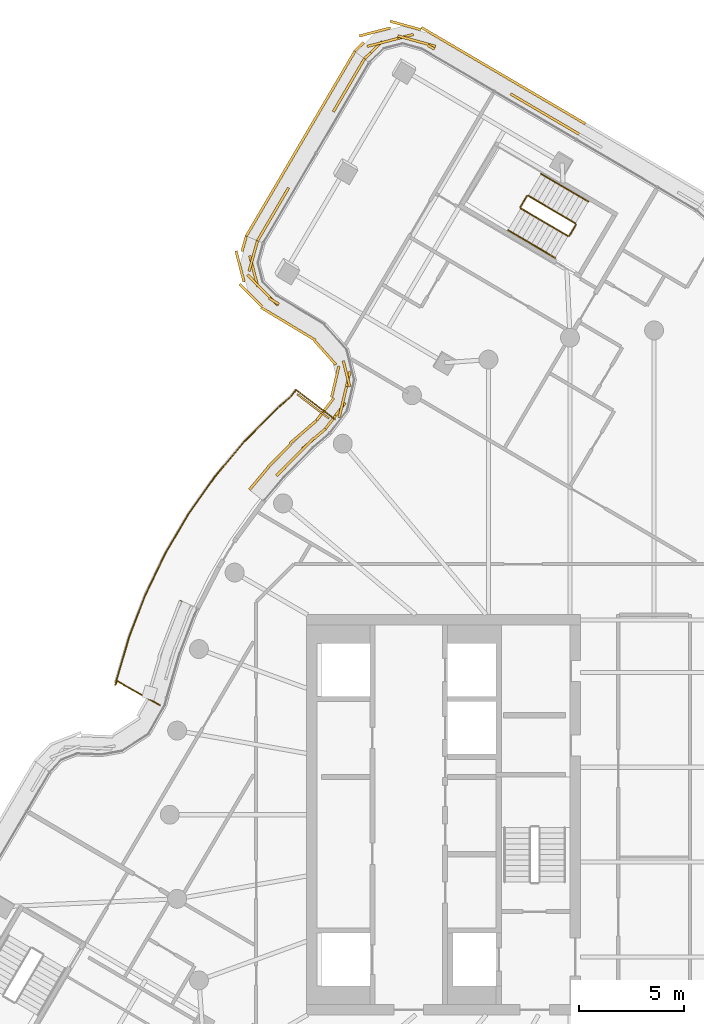
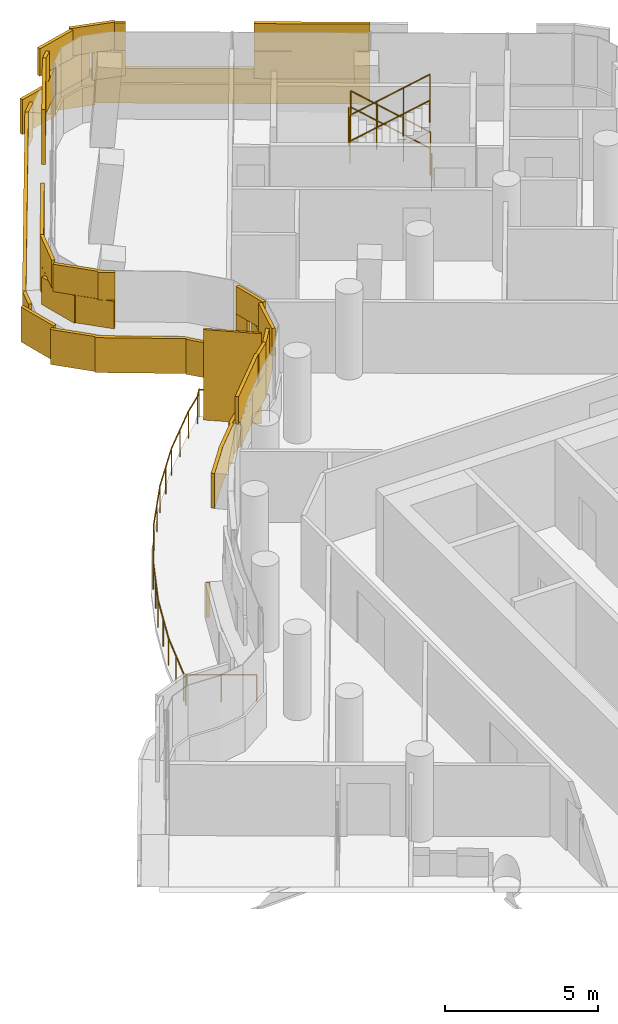
# One storey, part 24 of 26: 7 railings, 4 coverings, 1 shading device.
"""IFC4 building model written with IfcOpenShell, lengths in metres."""

from ifc_helpers import new_model, si_unit, direction, frame, origin, origin_2d, place, context, subcontext, project, spatial, rectangle, circle, extrude, material, layer, layer_set, type_object, element, save


model = new_model("IFC4")

# Units and contexts
model_context = context("Model", 3, precision=1e-05, world=origin(), true_north=direction((0.0, 1.0)))
body_context = subcontext(model_context, "Body", "Model", "MODEL_VIEW")
ifc_project = project(units=[si_unit("LENGTHUNIT", "METRE"), si_unit("AREAUNIT", "SQUARE_METRE"), si_unit("VOLUMEUNIT", "CUBIC_METRE"), si_unit("PLANEANGLEUNIT", "RADIAN"), si_unit("MASSUNIT", "GRAM", prefix="KILO")], contexts=[model_context])

# Site, building, storey
site_placement = place(None, origin())
site = spatial("IfcSite", under=ifc_project, at=site_placement, CompositionType="ELEMENT")
building_placement = place(site_placement, origin())
building = spatial("IfcBuilding", under=site, at=building_placement, Name="Tamarind Cross Interchange Tower", CompositionType="ELEMENT")
storey_placement = place(building_placement, frame((0.0, 0.0, 248.699951171875)))
storey = spatial("IfcBuildingStorey", under=building, at=storey_placement, Name="L63", CompositionType="ELEMENT", Elevation=248.699951171875)

# Railing
ifc_material_1 = material(Name="Stainless steel and laminated glass", Category="steel")
railing_type_1 = type_object("IfcRailingType", Name="Balcony guard", PredefinedType="BALUSTRADE", material=ifc_material_1)
railing_1_placement = place(storey_placement, frame((-15.15185546875, 18.774658203125, 0.0)))
element("IfcRailing", 1, at=railing_1_placement, inside=storey, type_object=railing_type_1, Name="Balcony guard 04", PredefinedType="BALUSTRADE", context=body_context, shape_type="SweptSolid", body=[
    extrude(circle(Radius=0.02490234375, at=origin_2d()), frame((0.0, 0.0, 1.0751953125), z_axis=(-0.795265004093, 0.606261967524, 0.0), x_axis=(-0.606261967524, -0.795265004093, 0.0)), (0.0, 0.0, 1.0), 2.31982421875),
    extrude(circle(Radius=0.02490234375, at=origin_2d()), frame((-1.844970703125, 1.406494140625, 1.0751953125), z_axis=(-0.606314214453, -0.795225171478, 0.0), x_axis=(0.795225171478, -0.606314214453, 0.0)), (0.0, 0.0, 1.0), 0.406982421875),
    extrude(circle(Radius=0.02490234375, at=origin_2d()), frame((-2.091796875, 1.082763671875, 1.0751953125), z_axis=(-0.757669827878, -0.652638055835, 0.0), x_axis=(0.652638055835, -0.757669827878, 0.0)), (0.0, 0.0, 1.0), 0.880859375),
    extrude(circle(Radius=0.02490234375, at=origin_2d()), frame((-2.75927734375, 0.5078125, 1.0751953125), z_axis=(-0.704063079515, -0.710137437447, 0.0), x_axis=(0.710137437447, -0.704063079515, 0.0)), (0.0, 0.0, 1.0), 2.17041015625),
    extrude(circle(Radius=0.02490234375, at=origin_2d()), frame((-4.287353515625, -1.033447265625, 1.0751953125), z_axis=(-0.642984125922, -0.765879503455, 0.0), x_axis=(0.765879503455, -0.642984125922, 0.0)), (0.0, 0.0, 1.0), 2.17529296875),
    extrude(circle(Radius=0.02490234375, at=origin_2d()), frame((-5.68603515625, -2.699462890625, 1.0751953125), z_axis=(-0.577590617379, -0.81632657602, 0.0), x_axis=(0.81632657602, -0.577590617379, 0.0)), (0.0, 0.0, 1.0), 2.175048828125),
    extrude(circle(Radius=0.02490234375, at=origin_2d()), frame((-6.9423828125, -4.47509765625, 1.0751953125), z_axis=(-0.508226290333, -0.861223570169, 0.0), x_axis=(0.861223570169, -0.508226290333, 0.0)), (0.0, 0.0, 1.0), 2.175048828125),
    extrude(circle(Radius=0.02490234375, at=origin_2d()), frame((-8.0478515625, -6.348388671875, 1.0751953125), z_axis=(-0.435276325285, -0.90029690694, 0.0), x_axis=(0.90029690694, -0.435276325285, 0.0)), (0.0, 0.0, 1.0), 2.175048828125),
    extrude(circle(Radius=0.02490234375, at=origin_2d()), frame((-8.99462890625, -8.306640625, 1.0751953125), z_axis=(-0.359497979449, -0.93314586361, 0.0), x_axis=(0.93314586361, -0.359497979449, 0.0)), (0.0, 0.0, 1.0), 2.17529296875),
    extrude(circle(Radius=0.02490234375, at=origin_2d()), frame((-9.776611328125, -10.33642578125, 1.0751953125), z_axis=(-0.281200558309, -0.959649022303, 0.0), x_axis=(0.959649022303, -0.281200558309, 0.0)), (0.0, 0.0, 1.0), 2.10791015625),
    extrude(circle(Radius=0.02490234375, at=origin_2d()), frame((-10.369384765625, -12.359375, 1.0751953125), z_axis=(-0.257177560454, -0.966364166554, 0.0), x_axis=(0.966364166554, -0.257177560454, 0.0)), (0.0, 0.0, 1.0), 0.250732421875),
    extrude(circle(Radius=0.02490234375, at=origin_2d()), frame((-10.433837890625, -12.6015625, 1.0751953125), z_axis=(0.493044065674, 0.87000433867, 0.0), x_axis=(-0.87000433867, 0.493044065674, 0.0)), (0.0, 0.0, 1.0), 0.195556640625),
    extrude(circle(Radius=0.02490234375, at=origin_2d()), frame((-10.33740234375, -12.431396484375, 1.0751953125), z_axis=(0.869844589794, -0.493325845264, 0.0), x_axis=(0.493325845264, 0.869844589794, 0.0)), (0.0, 0.0, 1.0), 2.320068359375),
    extrude(circle(Radius=0.02001953125, at=origin_2d()), origin(), (0.0, 0.0, 1.0), 1.050048828125),
    extrude(circle(Radius=0.02001953125, at=origin_2d()), frame((-0.92236328125, 0.703125, 0.0)), (0.0, 0.0, 1.0), 1.050048828125),
    extrude(circle(Radius=0.02001953125, at=origin_2d()), frame((-1.844970703125, 1.406494140625, 0.0)), (0.0, 0.0, 1.0), 1.050048828125),
    extrude(circle(Radius=0.02001953125, at=origin_2d()), frame((-2.091796875, 1.082763671875, 0.0)), (0.0, 0.0, 1.0), 1.050048828125),
    extrude(circle(Radius=0.02001953125, at=origin_2d()), frame((-2.75927734375, 0.5078125, 0.0)), (0.0, 0.0, 1.0), 1.050048828125),
    extrude(circle(Radius=0.02001953125, at=origin_2d()), frame((-3.5234375, -0.2626953125, 0.0)), (0.0, 0.0, 1.0), 1.050048828125),
    extrude(circle(Radius=0.02001953125, at=origin_2d()), frame((-4.287353515625, -1.033447265625, 0.0)), (0.0, 0.0, 1.0), 1.050048828125),
    extrude(circle(Radius=0.02001953125, at=origin_2d()), frame((-4.98681640625, -1.866455078125, 0.0)), (0.0, 0.0, 1.0), 1.050048828125),
    extrude(circle(Radius=0.02001953125, at=origin_2d()), frame((-5.68603515625, -2.699462890625, 0.0)), (0.0, 0.0, 1.0), 1.050048828125),
    extrude(circle(Radius=0.02001953125, at=origin_2d()), frame((-6.314208984375, -3.58740234375, 0.0)), (0.0, 0.0, 1.0), 1.050048828125),
    extrude(circle(Radius=0.02001953125, at=origin_2d()), frame((-6.9423828125, -4.47509765625, 0.0)), (0.0, 0.0, 1.0), 1.050048828125),
    extrude(circle(Radius=0.02001953125, at=origin_2d()), frame((-7.4951171875, -5.41162109375, 0.0)), (0.0, 0.0, 1.0), 1.050048828125),
    extrude(circle(Radius=0.02001953125, at=origin_2d()), frame((-8.0478515625, -6.348388671875, 0.0)), (0.0, 0.0, 1.0), 1.050048828125),
    extrude(circle(Radius=0.02001953125, at=origin_2d()), frame((-8.521240234375, -7.32763671875, 0.0)), (0.0, 0.0, 1.0), 1.050048828125),
    extrude(circle(Radius=0.02001953125, at=origin_2d()), frame((-8.99462890625, -8.306640625, 0.0)), (0.0, 0.0, 1.0), 1.050048828125),
    extrude(circle(Radius=0.02001953125, at=origin_2d()), frame((-9.3857421875, -9.321533203125, 0.0)), (0.0, 0.0, 1.0), 1.050048828125),
    extrude(circle(Radius=0.02001953125, at=origin_2d()), frame((-9.776611328125, -10.33642578125, 0.0)), (0.0, 0.0, 1.0), 1.050048828125),
    extrude(circle(Radius=0.02001953125, at=origin_2d()), frame((-10.072998046875, -11.347900390625, 0.0)), (0.0, 0.0, 1.0), 1.050048828125),
    extrude(circle(Radius=0.02001953125, at=origin_2d()), frame((-10.369384765625, -12.359375, 0.0)), (0.0, 0.0, 1.0), 1.050048828125),
    extrude(circle(Radius=0.02001953125, at=origin_2d()), frame((-10.433837890625, -12.6015625, 0.0)), (0.0, 0.0, 1.0), 1.050048828125),
    extrude(circle(Radius=0.02001953125, at=origin_2d()), frame((-10.33740234375, -12.431396484375, 0.0)), (0.0, 0.0, 1.0), 1.050048828125),
    extrude(circle(Radius=0.02001953125, at=origin_2d()), frame((-9.328369140625, -13.003662109375, 0.0)), (0.0, 0.0, 1.0), 1.050048828125),
    extrude(circle(Radius=0.02001953125, at=origin_2d()), frame((-8.3193359375, -13.575927734375, 0.0)), (0.0, 0.0, 1.0), 1.050048828125),
])

# Shading device
ifc_material_2 = material(Name="Bronze-finish aluminium louvre", Category="aluminium")
ifc_layer_1 = layer(ifc_material_2, 0.080078125)
ifc_layer_set_1 = layer_set([ifc_layer_1], Name="Bronze-finish aluminium louvre")
shading_device_type = type_object("IfcShadingDeviceType", Name="Operable louvre bay", PredefinedType="JALOUSIE", material=ifc_layer_set_1)
shading_device_placement = place(storey_placement, origin())
element("IfcShadingDevice", 2, at=shading_device_placement, inside=storey, type_object=shading_device_type, Name="LVR-L63-BAL04", PredefinedType="JALOUSIE", context=body_context, shape_type="SweptSolid", body=[
    extrude(rectangle(XDim=1.89990234375, YDim=0.080078125, at=origin_2d()), frame((-16.19091796875, 19.390869140625, 0.0), z_axis=(0.0, 0.0, 1.0), x_axis=(-0.7952192151, 0.606322026596, 0.0)), (0.0, 0.0, 1.0), 3.60009765625),
])

# Railings
ifc_material_3 = material(Name="Stair guard")
railing_type_2 = type_object("IfcRailingType", Name="Stair guard", PredefinedType="GUARDRAIL", material=ifc_material_3)
railing_2_placement = place(storey_placement, frame((-3.733642578125, 28.08056640625, 0.16357421875)))
element("IfcRailing", 3, at=railing_2_placement, inside=storey, type_object=railing_type_2, Name="L63 ST4 stair guard 1", PredefinedType="GUARDRAIL", context=body_context, shape_type="SweptSolid", body=[
    extrude(circle(Radius=0.02392578125, at=origin_2d()), frame((0.0, 0.0, 1.076171875), z_axis=(-0.729621635037, 0.428824566241, 0.532692933194), x_axis=(-0.506700001026, -0.862122444297, 0.0)), (0.0, 0.0, 1.0), 3.072021484375),
    extrude(circle(Radius=0.02099609375, at=origin_2d()), origin(), (0.0, 0.0, 1.0), 1.052001953125),
    extrude(circle(Radius=0.02099609375, at=origin_2d()), frame((-0.7470703125, 0.439208984375, 0.54541015625)), (0.0, 0.0, 1.0), 1.052001953125),
    extrude(circle(Radius=0.02099609375, at=origin_2d()), frame((-1.494384765625, 0.878173828125, 1.091064453125)), (0.0, 0.0, 1.0), 1.052001953125),
    extrude(circle(Radius=0.02099609375, at=origin_2d()), frame((-2.241455078125, 1.3173828125, 1.636474609375)), (0.0, 0.0, 1.0), 1.052001953125),
])
railing_3_placement = place(storey_placement, frame((-6.043701171875, 29.380126953125, 1.800048828125)))
element("IfcRailing", 4, at=railing_3_placement, inside=storey, type_object=railing_type_2, Name="L63 ST4 stair guard 2", PredefinedType="GUARDRAIL", context=body_context, shape_type="SweptSolid", body=[
    extrude(circle(Radius=0.02392578125, at=origin_2d()), frame((0.0, 0.0, 1.076171875), z_axis=(-0.506753282628, -0.862091126591, 0.0), x_axis=(0.862091126591, -0.506753282628, 0.0)), (0.0, 0.0, 1.0), 0.599853515625),
    extrude(circle(Radius=0.02099609375, at=origin_2d()), origin(), (0.0, 0.0, 1.0), 1.052001953125),
    extrude(circle(Radius=0.02099609375, at=origin_2d()), frame((-0.303955078125, -0.51708984375, 0.0)), (0.0, 0.0, 1.0), 1.052001953125),
])
railing_4_placement = place(storey_placement, frame((-6.329833984375, 28.79443359375, 1.963623046875)))
element("IfcRailing", 5, at=railing_4_placement, inside=storey, type_object=railing_type_2, Name="L63 ST4 stair guard 3", PredefinedType="GUARDRAIL", context=body_context, shape_type="SweptSolid", body=[
    extrude(circle(Radius=0.02392578125, at=origin_2d()), frame((0.0, 0.0, 1.076171875), z_axis=(0.729621635037, -0.428824566241, 0.532692933194), x_axis=(0.506700001026, 0.862122444297, 0.0)), (0.0, 0.0, 1.0), 3.072021484375),
    extrude(circle(Radius=0.02099609375, at=origin_2d()), origin(), (0.0, 0.0, 1.0), 1.052001953125),
    extrude(circle(Radius=0.02099609375, at=origin_2d()), frame((0.7470703125, -0.439208984375, 0.54541015625)), (0.0, 0.0, 1.0), 1.052001953125),
    extrude(circle(Radius=0.02099609375, at=origin_2d()), frame((1.494384765625, -0.878173828125, 1.091064453125)), (0.0, 0.0, 1.0), 1.052001953125),
    extrude(circle(Radius=0.02099609375, at=origin_2d()), frame((2.241455078125, -1.3173828125, 1.636474609375)), (0.0, 0.0, 1.0), 1.052001953125),
])
railing_5_placement = place(storey_placement, frame((-3.7158203125, 28.011962890625, 0.0)))
element("IfcRailing", 6, at=railing_5_placement, inside=storey, type_object=railing_type_2, Name="L63 ST4 stair guard 4", PredefinedType="GUARDRAIL", context=body_context, shape_type="SweptSolid", body=[
    extrude(circle(Radius=0.02392578125, at=origin_2d()), frame((0.0, 0.0, 1.076171875), z_axis=(-0.507055694745, -0.86191329171, 0.0), x_axis=(0.86191329171, -0.507055694745, 0.0)), (0.0, 0.0, 1.0), 0.599853515625),
    extrude(circle(Radius=0.02099609375, at=origin_2d()), origin(), (0.0, 0.0, 1.0), 1.052001953125),
    extrude(circle(Radius=0.02099609375, at=origin_2d()), frame((-0.30419921875, -0.51708984375, 0.0)), (0.0, 0.0, 1.0), 1.052001953125),
])
ifc_material_4 = material(Name="Stair handrail")
railing_type_3 = type_object("IfcRailingType", Name="Stair handrail", PredefinedType="HANDRAIL", material=ifc_material_4)
railing_6_placement = place(storey_placement, frame((-3.125732421875, 29.114990234375, 0.16357421875)))
element("IfcRailing", 7, at=railing_6_placement, inside=storey, type_object=railing_type_3, Name="L63 ST4 stair handrail 1", PredefinedType="HANDRAIL", context=body_context, shape_type="SweptSolid", body=[
    extrude(circle(Radius=0.02392578125, at=origin_2d()), frame((0.0, 0.0, 0.8759765625), z_axis=(-0.729621635037, 0.428824566241, 0.532692933194), x_axis=(-0.506700001026, -0.862122444297, 0.0)), (0.0, 0.0, 1.0), 3.072021484375),
    extrude(circle(Radius=0.02099609375, at=origin_2d()), origin(), (0.0, 0.0, 1.0), 0.851806640625),
    extrude(circle(Radius=0.02099609375, at=origin_2d()), frame((-0.7470703125, 0.439208984375, 0.54541015625)), (0.0, 0.0, 1.0), 0.851806640625),
    extrude(circle(Radius=0.02099609375, at=origin_2d()), frame((-1.494384765625, 0.878173828125, 1.091064453125)), (0.0, 0.0, 1.0), 0.851806640625),
    extrude(circle(Radius=0.02099609375, at=origin_2d()), frame((-2.241455078125, 1.3173828125, 1.636474609375)), (0.0, 0.0, 1.0), 0.851806640625),
])
railing_7_placement = place(storey_placement, frame((-6.93798828125, 27.760009765625, 1.963623046875)))
element("IfcRailing", 8, at=railing_7_placement, inside=storey, type_object=railing_type_3, Name="L63 ST4 stair handrail 2", PredefinedType="HANDRAIL", context=body_context, shape_type="SweptSolid", body=[
    extrude(circle(Radius=0.02392578125, at=origin_2d()), frame((0.0, 0.0, 0.8759765625), z_axis=(0.729596769198, -0.428889419819, 0.532674778775), x_axis=(0.506769789849, 0.862081423125, 0.0)), (0.0, 0.0, 1.0), 3.072265625),
    extrude(circle(Radius=0.02099609375, at=origin_2d()), origin(), (0.0, 0.0, 1.0), 0.851806640625),
    extrude(circle(Radius=0.02099609375, at=origin_2d()), frame((0.7470703125, -0.439208984375, 0.54541015625)), (0.0, 0.0, 1.0), 0.851806640625),
    extrude(circle(Radius=0.02099609375, at=origin_2d()), frame((1.494384765625, -0.87841796875, 1.091064453125)), (0.0, 0.0, 1.0), 0.851806640625),
    extrude(circle(Radius=0.02099609375, at=origin_2d()), frame((2.241455078125, -1.317626953125, 1.636474609375)), (0.0, 0.0, 1.0), 0.851806640625),
])

# Coverings
ifc_material_5 = material(Name="Terracotta", Category="masonry")
ifc_layer_2 = layer(ifc_material_5, 0.1201171875)
ifc_layer_set_2 = layer_set([ifc_layer_2], Name="Terracotta")
covering_type = type_object("IfcCoveringType", Name="Terracotta baguette screen unit", PredefinedType="MOLDING", material=ifc_layer_set_2)
covering_1_placement = place(storey_placement, origin())
element("IfcCovering", 9, at=covering_1_placement, inside=storey, type_object=covering_type, Name="SCR-L63-02-01", PredefinedType="MOLDING", context=body_context, shape_type="SweptSolid", body=[
    extrude(rectangle(XDim=0.08349609375, YDim=0.1201171875, at=origin_2d()), frame((-3.593994140625, 32.336669921875, 1.40380859375), z_axis=(0.0, 0.0, 1.0), x_axis=(-0.862103583695, 0.506732089945, 0.0)), (0.0, 0.0, 1.0), 1.092041015625),
    extrude(rectangle(XDim=1.52001953125, YDim=0.1201171875, at=origin_2d()), frame((-4.272216796875, 32.735107421875, 1.40380859375), z_axis=(0.0, 0.0, 1.0), x_axis=(-0.862103583695, 0.506732089945, 0.0)), (0.0, 0.0, 1.0), 1.092041015625),
    extrude(rectangle(XDim=1.52001953125, YDim=0.1201171875, at=origin_2d()), frame((-5.5654296875, 33.495361328125, 1.40380859375), z_axis=(0.0, 0.0, 1.0), x_axis=(-0.862103583695, 0.506732089945, 0.0)), (0.0, 0.0, 1.0), 1.092041015625),
    extrude(rectangle(XDim=0.71044921875, YDim=0.1201171875, at=origin_2d()), frame((-6.513916015625, 34.052734375, 1.40380859375), z_axis=(0.0, 0.0, 1.0), x_axis=(-0.862103583695, 0.506732089945, 0.0)), (0.0, 0.0, 1.0), 1.092041015625),
    extrude(rectangle(XDim=1.109619140625, YDim=0.1201171875, at=origin_2d()), frame((-10.910888671875, 36.63671875, 1.40380859375), z_axis=(0.0, 0.0, 1.0), x_axis=(-0.96388003207, 0.266336786376, 0.0)), (0.0, 0.0, 1.0), 1.092041015625),
    extrude(rectangle(XDim=1.52001953125, YDim=0.1201171875, at=origin_2d()), frame((-12.16455078125, 36.863525390625, 1.40380859375), z_axis=(0.0, 0.0, 1.0), x_axis=(-0.967912987161, -0.251285593071, 0.0)), (0.0, 0.0, 1.0), 1.092041015625),
    extrude(rectangle(XDim=1.184326171875, YDim=0.1201171875, at=origin_2d()), frame((-13.335205078125, 36.3095703125, 1.40380859375), z_axis=(0.0, 0.0, 1.0), x_axis=(-0.712594438999, -0.701576200785, 0.0)), (0.0, 0.0, 1.0), 1.092041015625),
    extrude(rectangle(XDim=0.83349609375, YDim=0.1201171875, at=origin_2d()), frame((-3.917236328125, 32.526611328125, 2.50390625), z_axis=(0.0, 0.0, 1.0), x_axis=(-0.862103583695, 0.506732089945, 0.0)), (0.0, 0.0, 1.0), 1.092041015625),
    extrude(rectangle(XDim=1.52001953125, YDim=0.1201171875, at=origin_2d()), frame((-4.918701171875, 33.115234375, 2.50390625), z_axis=(0.0, 0.0, 1.0), x_axis=(-0.862103583695, 0.506732089945, 0.0)), (0.0, 0.0, 1.0), 1.092041015625),
    extrude(rectangle(XDim=1.46044921875, YDim=0.1201171875, at=origin_2d()), frame((-6.1904296875, 33.86279296875, 2.50390625), z_axis=(0.0, 0.0, 1.0), x_axis=(-0.862103583695, 0.506732089945, 0.0)), (0.0, 0.0, 1.0), 1.092041015625),
    extrude(rectangle(XDim=0.359619140625, YDim=0.1201171875, at=origin_2d()), frame((-10.587158203125, 36.447021484375, 2.50390625), z_axis=(0.0, 0.0, 1.0), x_axis=(-0.862103583695, 0.506732089945, 0.0)), (0.0, 0.0, 1.0), 1.092041015625),
    extrude(rectangle(XDim=1.52001953125, YDim=0.1201171875, at=origin_2d()), frame((-11.440673828125, 36.783203125, 2.50390625), z_axis=(0.0, 0.0, 1.0), x_axis=(-0.96388003207, 0.266336786376, 0.0)), (0.0, 0.0, 1.0), 1.092041015625),
    extrude(rectangle(XDim=1.52001953125, YDim=0.1201171875, at=origin_2d()), frame((-12.890380859375, 36.675048828125, 2.50390625), z_axis=(0.0, 0.0, 1.0), x_axis=(-0.967912987161, -0.251285593071, 0.0)), (0.0, 0.0, 1.0), 1.092041015625),
    extrude(rectangle(XDim=0.434326171875, YDim=0.1201171875, at=origin_2d()), frame((-13.602294921875, 36.04638671875, 2.50390625), z_axis=(0.0, 0.0, 1.0), x_axis=(-0.712594438999, -0.701576200785, 0.0)), (0.0, 0.0, 1.0), 1.092041015625),
    extrude(rectangle(XDim=1.52001953125, YDim=0.1201171875, at=origin_2d()), frame((-3.926025390625, 33.197509765625, 0.00390625), z_axis=(0.0, 0.0, 1.0), x_axis=(-0.862103583695, 0.506732089945, 0.0)), (0.0, 0.0, 1.0), 1.39208984375),
    extrude(rectangle(XDim=1.52001953125, YDim=0.1201171875, at=origin_2d()), frame((-5.21923828125, 33.957763671875, 0.00390625), z_axis=(0.0, 0.0, 1.0), x_axis=(-0.862103583695, 0.506732089945, 0.0)), (0.0, 0.0, 1.0), 1.39208984375),
    extrude(rectangle(XDim=1.52001953125, YDim=0.1201171875, at=origin_2d()), frame((-6.512451171875, 34.7177734375, 0.00390625), z_axis=(0.0, 0.0, 1.0), x_axis=(-0.862103583695, 0.506732089945, 0.0)), (0.0, 0.0, 1.0), 1.39208984375),
    extrude(rectangle(XDim=1.52001953125, YDim=0.1201171875, at=origin_2d()), frame((-7.8056640625, 35.477783203125, 0.00390625), z_axis=(0.0, 0.0, 1.0), x_axis=(-0.862103583695, 0.506732089945, 0.0)), (0.0, 0.0, 1.0), 1.39208984375),
    extrude(rectangle(XDim=1.52001953125, YDim=0.1201171875, at=origin_2d()), frame((-9.0986328125, 36.238037109375, 0.00390625), z_axis=(0.0, 0.0, 1.0), x_axis=(-0.862103583695, 0.506732089945, 0.0)), (0.0, 0.0, 1.0), 1.39208984375),
    extrude(rectangle(XDim=1.52001953125, YDim=0.1201171875, at=origin_2d()), frame((-10.391845703125, 36.998046875, 0.00390625), z_axis=(0.0, 0.0, 1.0), x_axis=(-0.862103583695, 0.506732089945, 0.0)), (0.0, 0.0, 1.0), 1.39208984375),
    extrude(rectangle(XDim=1.52001953125, YDim=0.1201171875, at=origin_2d()), frame((-11.80322265625, 37.478759765625, 0.00390625), z_axis=(0.0, 0.0, 1.0), x_axis=(-0.96388003207, 0.266336786376, 0.0)), (0.0, 0.0, 1.0), 1.39208984375),
    extrude(rectangle(XDim=1.52001953125, YDim=0.1201171875, at=origin_2d()), frame((-13.254638671875, 37.173583984375, 0.00390625), z_axis=(0.0, 0.0, 1.0), x_axis=(-0.967912987161, -0.251285593071, 0.0)), (0.0, 0.0, 1.0), 1.39208984375),
    extrude(rectangle(XDim=0.59033203125, YDim=0.1201171875, at=origin_2d()), frame((-13.999755859375, 36.460693359375, 0.00390625), z_axis=(0.0, 0.0, 1.0), x_axis=(-0.712594438999, -0.701576200785, 0.0)), (0.0, 0.0, 1.0), 1.39208984375),
])
covering_2_placement = place(storey_placement, origin())
element("IfcCovering", 10, at=covering_2_placement, inside=storey, type_object=covering_type, Name="SCR-L63-03-00", PredefinedType="MOLDING", context=body_context, shape_type="SweptSolid", body=[
    extrude(rectangle(XDim=0.760009765625, YDim=0.1201171875, at=origin_2d()), frame((-13.943603515625, 35.574462890625, 1.40380859375), z_axis=(0.0, 0.0, 1.0), x_axis=(-0.506732089945, -0.862103583695, 0.0)), (0.0, 0.0, 1.0), 1.092041015625),
    extrude(rectangle(XDim=1.52001953125, YDim=0.1201171875, at=origin_2d()), frame((-14.513671875, 34.6044921875, 1.40380859375), z_axis=(0.0, 0.0, 1.0), x_axis=(-0.506732089945, -0.862103583695, 0.0)), (0.0, 0.0, 1.0), 1.092041015625),
    extrude(rectangle(XDim=0.671875, YDim=0.1201171875, at=origin_2d()), frame((-15.061279296875, 33.672607421875, 1.40380859375), z_axis=(0.0, 0.0, 1.0), x_axis=(-0.506732089945, -0.862103583695, 0.0)), (0.0, 0.0, 1.0), 1.092041015625),
    extrude(rectangle(XDim=1.148193359375, YDim=0.1201171875, at=origin_2d()), frame((-17.645751953125, 29.27587890625, 1.40380859375), z_axis=(0.0, 0.0, 1.0), x_axis=(-0.506732089945, -0.862103583695, 0.0)), (0.0, 0.0, 1.0), 1.092041015625),
    extrude(rectangle(XDim=1.52001953125, YDim=0.1201171875, at=origin_2d()), frame((-18.314208984375, 28.138671875, 1.40380859375), z_axis=(0.0, 0.0, 1.0), x_axis=(-0.506732089945, -0.862103583695, 0.0)), (0.0, 0.0, 1.0), 1.092041015625),
    extrude(rectangle(XDim=0.28369140625, YDim=0.1201171875, at=origin_2d()), frame((-18.763427734375, 27.374267578125, 1.40380859375), z_axis=(0.0, 0.0, 1.0), x_axis=(-0.506732089945, -0.862103583695, 0.0)), (0.0, 0.0, 1.0), 1.092041015625),
    extrude(rectangle(XDim=1.510009765625, YDim=0.1201171875, at=origin_2d()), frame((-14.133544921875, 35.2509765625, 2.50390625), z_axis=(0.0, 0.0, 1.0), x_axis=(-0.506732089945, -0.862103583695, 0.0)), (0.0, 0.0, 1.0), 1.092041015625),
    extrude(rectangle(XDim=1.421875, YDim=0.1201171875, at=origin_2d()), frame((-14.871337890625, 33.995849609375, 2.50390625), z_axis=(0.0, 0.0, 1.0), x_axis=(-0.506732089945, -0.862103583695, 0.0)), (0.0, 0.0, 1.0), 1.092041015625),
    extrude(rectangle(XDim=0.398193359375, YDim=0.1201171875, at=origin_2d()), frame((-17.45556640625, 29.59912109375, 2.50390625), z_axis=(0.0, 0.0, 1.0), x_axis=(-0.506732089945, -0.862103583695, 0.0)), (0.0, 0.0, 1.0), 1.092041015625),
    extrude(rectangle(XDim=1.52001953125, YDim=0.1201171875, at=origin_2d()), frame((-17.93408203125, 28.785400390625, 2.50390625), z_axis=(0.0, 0.0, 1.0), x_axis=(-0.506732089945, -0.862103583695, 0.0)), (0.0, 0.0, 1.0), 1.092041015625),
    extrude(rectangle(XDim=1.03369140625, YDim=0.1201171875, at=origin_2d()), frame((-18.573486328125, 27.697509765625, 2.50390625), z_axis=(0.0, 0.0, 1.0), x_axis=(-0.506732089945, -0.862103583695, 0.0)), (0.0, 0.0, 1.0), 1.092041015625),
    extrude(rectangle(XDim=0.760009765625, YDim=0.1201171875, at=origin_2d()), frame((-14.402587890625, 35.926025390625, 0.00390625), z_axis=(0.0, 0.0, 1.0), x_axis=(-0.506732089945, -0.862103583695, 0.0)), (0.0, 0.0, 1.0), 1.39208984375),
    extrude(rectangle(XDim=1.52001953125, YDim=0.1201171875, at=origin_2d()), frame((-14.97021484375, 34.96044921875, 0.00390625), z_axis=(0.0, 0.0, 1.0), x_axis=(-0.506732089945, -0.862103583695, 0.0)), (0.0, 0.0, 1.0), 1.39208984375),
    extrude(rectangle(XDim=1.52001953125, YDim=0.1201171875, at=origin_2d()), frame((-15.730224609375, 33.667236328125, 0.00390625), z_axis=(0.0, 0.0, 1.0), x_axis=(-0.506732089945, -0.862103583695, 0.0)), (0.0, 0.0, 1.0), 1.39208984375),
    extrude(rectangle(XDim=1.52001953125, YDim=0.1201171875, at=origin_2d()), frame((-16.490478515625, 32.374267578125, 0.00390625), z_axis=(0.0, 0.0, 1.0), x_axis=(-0.506732089945, -0.862103583695, 0.0)), (0.0, 0.0, 1.0), 1.39208984375),
    extrude(rectangle(XDim=1.52001953125, YDim=0.1201171875, at=origin_2d()), frame((-17.25048828125, 31.0810546875, 0.00390625), z_axis=(0.0, 0.0, 1.0), x_axis=(-0.506732089945, -0.862103583695, 0.0)), (0.0, 0.0, 1.0), 1.39208984375),
    extrude(rectangle(XDim=1.52001953125, YDim=0.1201171875, at=origin_2d()), frame((-18.010498046875, 29.787841796875, 0.00390625), z_axis=(0.0, 0.0, 1.0), x_axis=(-0.506732089945, -0.862103583695, 0.0)), (0.0, 0.0, 1.0), 1.39208984375),
    extrude(rectangle(XDim=1.52001953125, YDim=0.1201171875, at=origin_2d()), frame((-18.770751953125, 28.49462890625, 0.00390625), z_axis=(0.0, 0.0, 1.0), x_axis=(-0.506732089945, -0.862103583695, 0.0)), (0.0, 0.0, 1.0), 1.39208984375),
    extrude(rectangle(XDim=0.434814453125, YDim=0.1201171875, at=origin_2d()), frame((-19.255859375, 27.66943359375, 0.00390625), z_axis=(0.0, 0.0, 1.0), x_axis=(-0.506732089945, -0.862103583695, 0.0)), (0.0, 0.0, 1.0), 1.39208984375),
])
covering_3_placement = place(storey_placement, origin())
element("IfcCovering", 11, at=covering_3_placement, inside=storey, type_object=covering_type, Name="SCR-L63-04-00", PredefinedType="MOLDING", context=body_context, shape_type="SweptSolid", body=[
    extrude(rectangle(XDim=0.760009765625, YDim=0.1201171875, at=origin_2d()), frame((-18.9326171875, 26.894775390625, 1.40380859375), z_axis=(0.0, 0.0, 1.0), x_axis=(-0.266336786376, -0.96388003207, 0.0)), (0.0, 0.0, 1.0), 1.092041015625),
    extrude(rectangle(XDim=1.52001953125, YDim=0.1201171875, at=origin_2d()), frame((-19.010498046875, 25.80859375, 1.40380859375), z_axis=(0.0, 0.0, 1.0), x_axis=(0.251285593071, -0.967912987161, 0.0)), (0.0, 0.0, 1.0), 1.092041015625),
    extrude(rectangle(XDim=1.305908203125, YDim=0.1201171875, at=origin_2d()), frame((-18.324462890625, 24.645263671875, 1.40380859375), z_axis=(0.0, 0.0, 1.0), x_axis=(0.701576200785, -0.712594438999, 0.0)), (0.0, 0.0, 1.0), 1.092041015625),
    extrude(rectangle(XDim=0.51416015625, YDim=0.1201171875, at=origin_2d()), frame((-14.69921875, 21.305419921875, 1.40380859375), z_axis=(0.0, 0.0, 1.0), x_axis=(0.242728070687, -0.970094368451, 0.0)), (0.0, 0.0, 1.0), 1.092041015625),
    extrude(rectangle(XDim=1.52001953125, YDim=0.1201171875, at=origin_2d()), frame((-14.607177734375, 20.332275390625, 1.40380859375), z_axis=(0.0, 0.0, 1.0), x_axis=(-0.229625104634, -0.973279153852, 0.0)), (0.0, 0.0, 1.0), 1.092041015625),
    extrude(rectangle(XDim=1.52001953125, YDim=0.1201171875, at=origin_2d()), frame((-15.127197265625, 18.955322265625, 1.40380859375), z_axis=(0.0, 0.0, 1.0), x_axis=(-0.606322026596, -0.7952192151, 0.0)), (0.0, 0.0, 1.0), 1.092041015625),
    extrude(rectangle(XDim=0.0517578125, YDim=0.1201171875, at=origin_2d()), frame((-15.594482421875, 18.34228515625, 1.40380859375), z_axis=(0.0, 0.0, 1.0), x_axis=(-0.606322026596, -0.7952192151, 0.0)), (0.0, 0.0, 1.0), 1.092041015625),
    extrude(rectangle(XDim=1.510009765625, YDim=0.1201171875, at=origin_2d()), frame((-19.03271484375, 26.533203125, 2.50390625), z_axis=(0.0, 0.0, 1.0), x_axis=(-0.266336786376, -0.96388003207, 0.0)), (0.0, 0.0, 1.0), 1.092041015625),
    extrude(rectangle(XDim=1.52001953125, YDim=0.1201171875, at=origin_2d()), frame((-18.779052734375, 25.10693359375, 2.50390625), z_axis=(0.0, 0.0, 1.0), x_axis=(0.701576200785, -0.712594438999, 0.0)), (0.0, 0.0, 1.0), 1.092041015625),
    extrude(rectangle(XDim=0.555908203125, YDim=0.1201171875, at=origin_2d()), frame((-18.053955078125, 24.387451171875, 2.50390625), z_axis=(0.0, 0.0, 1.0), x_axis=(0.856617266052, -0.515952381041, 0.0)), (0.0, 0.0, 1.0), 1.092041015625),
    extrude(rectangle(XDim=1.26416015625, YDim=0.1201171875, at=origin_2d()), frame((-14.6083984375, 20.941650390625, 2.50390625), z_axis=(0.0, 0.0, 1.0), x_axis=(0.242728070687, -0.970094368451, 0.0)), (0.0, 0.0, 1.0), 1.092041015625),
    extrude(rectangle(XDim=1.52001953125, YDim=0.1201171875, at=origin_2d()), frame((-14.779296875, 19.602294921875, 2.50390625), z_axis=(0.0, 0.0, 1.0), x_axis=(-0.229625104634, -0.973279153852, 0.0)), (0.0, 0.0, 1.0), 1.092041015625),
    extrude(rectangle(XDim=0.8017578125, YDim=0.1201171875, at=origin_2d()), frame((-15.3671875, 18.640625, 2.50390625), z_axis=(0.0, 0.0, 1.0), x_axis=(-0.606322026596, -0.7952192151, 0.0)), (0.0, 0.0, 1.0), 1.092041015625),
    extrude(rectangle(XDim=0.760009765625, YDim=0.1201171875, at=origin_2d()), frame((-19.46728515625, 27.11572265625, 0.00390625), z_axis=(0.0, 0.0, 1.0), x_axis=(-0.266336786376, -0.96388003207, 0.0)), (0.0, 0.0, 1.0), 1.39208984375),
    extrude(rectangle(XDim=1.52001953125, YDim=0.1201171875, at=origin_2d()), frame((-19.662353515625, 26.03515625, 0.00390625), z_axis=(0.0, 0.0, 1.0), x_axis=(0.251285593071, -0.967912987161, 0.0)), (0.0, 0.0, 1.0), 1.39208984375),
    extrude(rectangle(XDim=1.52001953125, YDim=0.1201171875, at=origin_2d()), frame((-19.146484375, 24.662109375, 0.00390625), z_axis=(0.0, 0.0, 1.0), x_axis=(0.701576200785, -0.712594438999, 0.0)), (0.0, 0.0, 1.0), 1.39208984375),
    extrude(rectangle(XDim=1.52001953125, YDim=0.1201171875, at=origin_2d()), frame((-18.014892578125, 23.69384765625, 0.00390625), z_axis=(0.0, 0.0, 1.0), x_axis=(0.856617266052, -0.515952381041, 0.0)), (0.0, 0.0, 1.0), 1.39208984375),
    extrude(rectangle(XDim=1.52001953125, YDim=0.1201171875, at=origin_2d()), frame((-16.72998046875, 22.919921875, 0.00390625), z_axis=(0.0, 0.0, 1.0), x_axis=(0.856617266052, -0.515952381041, 0.0)), (0.0, 0.0, 1.0), 1.39208984375),
    extrude(rectangle(XDim=1.52001953125, YDim=0.1201171875, at=origin_2d()), frame((-15.616943359375, 21.9384765625, 0.00390625), z_axis=(0.0, 0.0, 1.0), x_axis=(0.665605153688, -0.746304079704, 0.0)), (0.0, 0.0, 1.0), 1.39208984375),
    extrude(rectangle(XDim=1.52001953125, YDim=0.1201171875, at=origin_2d()), frame((-15.142822265625, 20.5615234375, 0.00390625), z_axis=(0.0, 0.0, 1.0), x_axis=(-0.229625104634, -0.973279153852, 0.0)), (0.0, 0.0, 1.0), 1.39208984375),
    extrude(rectangle(XDim=1.348388671875, YDim=0.1201171875, at=origin_2d()), frame((-15.619140625, 19.2568359375, 0.00390625), z_axis=(0.0, 0.0, 1.0), x_axis=(-0.606322026596, -0.7952192151, 0.0)), (0.0, 0.0, 1.0), 1.39208984375),
])
covering_4_placement = place(storey_placement, origin())
element("IfcCovering", 12, at=covering_4_placement, inside=storey, type_object=covering_type, Name="SCR-L63-04-01", PredefinedType="MOLDING", context=body_context, shape_type="SweptSolid", body=[
    extrude(rectangle(XDim=1.46826171875, YDim=0.1201171875, at=origin_2d()), frame((-16.15869140625, 17.848876953125, 1.40380859375), z_axis=(0.0, 0.0, 1.0), x_axis=(-0.75771314642, -0.652587762483, 0.0)), (0.0, 0.0, 1.0), 1.092041015625),
    extrude(rectangle(XDim=1.52001953125, YDim=0.1201171875, at=origin_2d()), frame((-17.21630859375, 16.81591796875, 1.40380859375), z_axis=(0.0, 0.0, 1.0), x_axis=(-0.704057148523, -0.710143317658, 0.0)), (0.0, 0.0, 1.0), 1.092041015625),
    extrude(rectangle(XDim=0.71826171875, YDim=0.1201171875, at=origin_2d()), frame((-15.87451171875, 18.093505859375, 2.50390625), z_axis=(0.0, 0.0, 1.0), x_axis=(-0.75771314642, -0.652587762483, 0.0)), (0.0, 0.0, 1.0), 1.092041015625),
    extrude(rectangle(XDim=1.52001953125, YDim=0.1201171875, at=origin_2d()), frame((-16.688232421875, 17.3486328125, 2.50390625), z_axis=(0.0, 0.0, 1.0), x_axis=(-0.704057148523, -0.710143317658, 0.0)), (0.0, 0.0, 1.0), 1.092041015625),
    extrude(rectangle(XDim=1.01708984375, YDim=0.1201171875, at=origin_2d()), frame((-17.57080078125, 16.45849609375, 2.50390625), z_axis=(0.0, 0.0, 1.0), x_axis=(-0.704057148523, -0.710143317658, 0.0)), (0.0, 0.0, 1.0), 1.092041015625),
    extrude(rectangle(XDim=0.171630859375, YDim=0.1201171875, at=origin_2d()), frame((-16.092041015625, 18.663818359375, 0.00390625), z_axis=(0.0, 0.0, 1.0), x_axis=(-0.75771314642, -0.652587762483, 0.0)), (0.0, 0.0, 1.0), 1.39208984375),
    extrude(rectangle(XDim=1.52001953125, YDim=0.1201171875, at=origin_2d()), frame((-16.7177734375, 18.124755859375, 0.00390625), z_axis=(0.0, 0.0, 1.0), x_axis=(-0.75771314642, -0.652587762483, 0.0)), (0.0, 0.0, 1.0), 1.39208984375),
    extrude(rectangle(XDim=1.52001953125, YDim=0.1201171875, at=origin_2d()), frame((-17.7783203125, 17.064453125, 0.00390625), z_axis=(0.0, 0.0, 1.0), x_axis=(-0.704057148523, -0.710143317658, 0.0)), (0.0, 0.0, 1.0), 1.39208984375),
    extrude(rectangle(XDim=1.4384765625, YDim=0.1201171875, at=origin_2d()), frame((-18.75439453125, 15.9814453125, 0.00390625), z_axis=(0.0, 0.0, 1.0), x_axis=(-0.643009266048, -0.765858396687, 0.0)), (0.0, 0.0, 1.0), 1.39208984375),
    extrude(rectangle(XDim=0.03076171875, YDim=0.1201171875, at=origin_2d()), frame((-22.46044921875, 10.15087890625, 0.00390625), z_axis=(0.0, 0.0, 1.0), x_axis=(-0.435326231914, -0.900272776334, 0.0)), (0.0, 0.0, 1.0), 1.39208984375),
])

save(model, "model.ifc")
